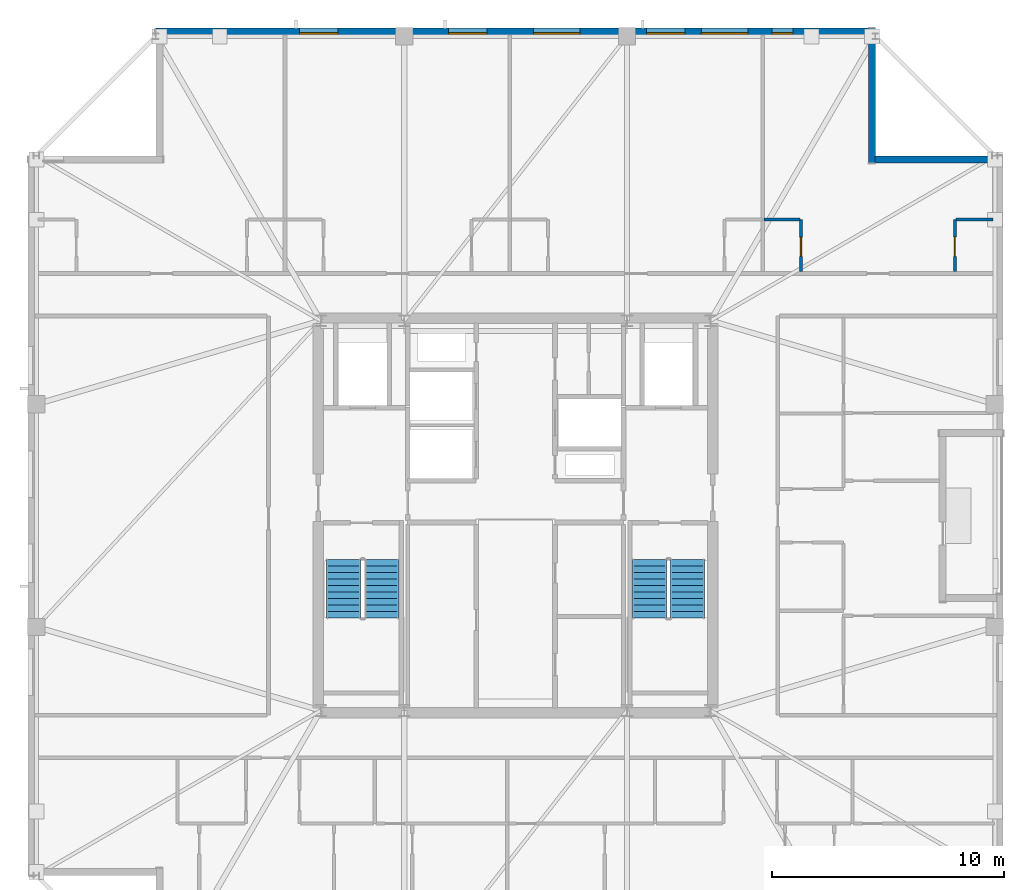
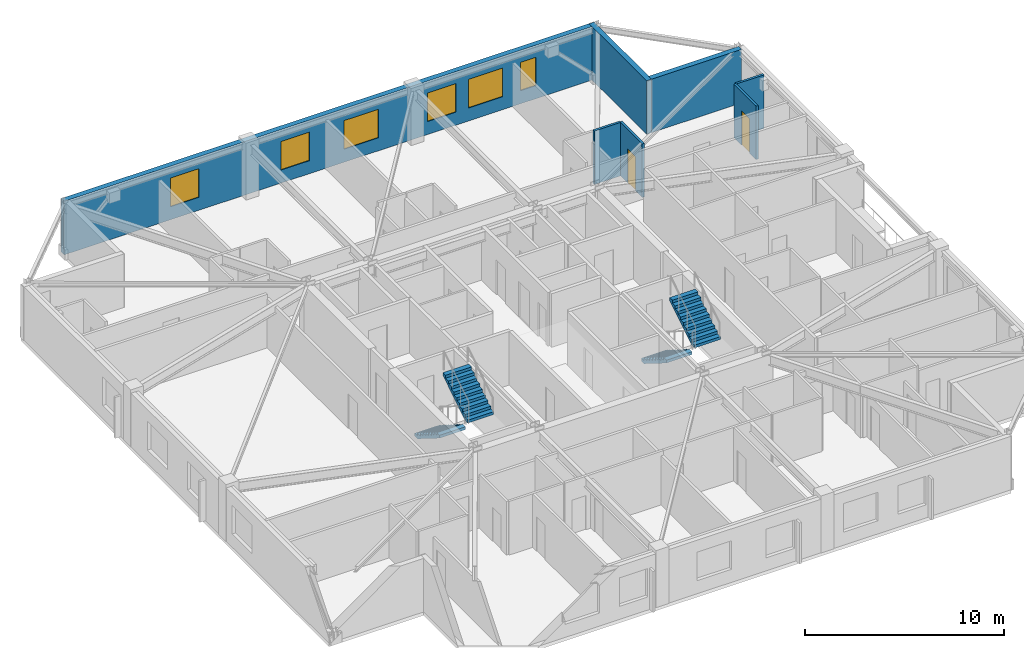
# One storey, part 11 of 15: 7 walls, 6 windows, 4 stair flights, 2 doors, 8 openings, 2 elements without a shape of their own.
"""IFC4 building model written with IfcOpenShell, lengths in metres."""

import ifcopenshell
import ifcopenshell.guid

model = None  # the IFC model being written
_history = None  # IfcOwnerHistory: only IFC2X3 demands one
_inside = {}  # id of a spatial element -> (the spatial element, [elements in it])
_under = {}  # id of a project, library or spatial element -> (it, [spatial elements below it])
_declared = {}  # id of a project -> (the project, [libraries it declares])
_typed = {}  # id of a type object -> (the type object, [elements of that type])
_made_of = {}  # id of a material, layer set ... -> (it, [elements and type objects made of it])


def new_model(schema):
    """Start an empty IFC model of exactly this schema.

    Asked for "IFC4X3", IfcOpenShell would pick the latest addendum, in which some entities
    have other attributes; the version numbers below select the first issue.
    IFC2X3 requires an IfcOwnerHistory on every rooted entity: one is made here for all.
    """
    global model, _history
    if schema == "IFC4X3":
        model = ifcopenshell.file(schema_version=(4, 3, 0, 0))
    else:
        model = ifcopenshell.file(schema=schema)
    _inside.clear()
    _under.clear()
    _declared.clear()
    _typed.clear()
    _made_of.clear()
    _history = None
    if model.schema == "IFC2X3":
        org = make("IfcOrganization", Name="unknown")
        user = make(
            "IfcPersonAndOrganization",
            ThePerson=make("IfcPerson", FamilyName="unknown"),
            TheOrganization=org,
        )
        app = make(
            "IfcApplication",
            ApplicationDeveloper=org,
            Version="unknown",
            ApplicationFullName="unknown",
            ApplicationIdentifier="unknown",
        )
        _history = make(
            "IfcOwnerHistory",
            OwningUser=user,
            OwningApplication=app,
            ChangeAction="ADDED",
            CreationDate=0,
        )
    return model


def make(cls, **values):
    """One entity of the class cls with the attributes given. An attribute that is None is left unset."""
    return model.create_entity(
        cls, **{name: value for name, value in values.items() if value is not None}
    )


def rooted(cls, **values):
    """An entity with a GlobalId (a new one), such as an element, a storey or a relation."""
    return make(cls, GlobalId=ifcopenshell.guid.new(), OwnerHistory=_history, **values)


def si_unit(unit_type, name, prefix=None):
    """IfcSIUnit, for example si_unit("LENGTHUNIT", "METRE", prefix="MILLI")."""
    return make("IfcSIUnit", UnitType=unit_type, Prefix=prefix, Name=name)


def assignment(units):
    """IfcUnitAssignment: the units of a project."""
    return None if units is None else make("IfcUnitAssignment", Units=units)


def point(xyz):
    """IfcCartesianPoint."""
    return None if xyz is None else make("IfcCartesianPoint", Coordinates=xyz)


def direction(xyz):
    """IfcDirection."""
    return None if xyz is None else make("IfcDirection", DirectionRatios=xyz)


def frame(location, z_axis=None, x_axis=None):
    """IfcAxis2Placement3D, a coordinate frame: its origin and axes. An axis left out is left unset."""
    return make(
        "IfcAxis2Placement3D",
        Location=point(location),
        Axis=direction(z_axis),
        RefDirection=direction(x_axis),
    )


def frame_2d(location, x_axis=None):
    """IfcAxis2Placement2D, a coordinate frame in the plane: its origin and x axis."""
    return make(
        "IfcAxis2Placement2D", Location=point(location), RefDirection=direction(x_axis)
    )


def origin():
    """The frame at (0, 0, 0) with its axes left unset."""
    return frame((0.0, 0.0, 0.0))


def place(relative_to, where):
    """IfcLocalPlacement: puts the frame where relative to a parent placement (None: the world)."""
    return make(
        "IfcLocalPlacement", PlacementRelTo=relative_to, RelativePlacement=where
    )


def context(
    kind, dimensions, precision=None, world=None, true_north=None, identifier=None
):
    """IfcGeometricRepresentationContext, for example the 3D "Model" context."""
    return make(
        "IfcGeometricRepresentationContext",
        ContextIdentifier=identifier,
        ContextType=kind,
        CoordinateSpaceDimension=dimensions,
        Precision=precision,
        WorldCoordinateSystem=world,
        TrueNorth=true_north,
    )


def subcontext(parent, identifier, kind, view, scale=None):
    """IfcGeometricRepresentationSubContext, for example "Body" below "Model"."""
    return make(
        "IfcGeometricRepresentationSubContext",
        ContextIdentifier=identifier,
        ContextType=kind,
        ParentContext=parent,
        TargetScale=scale,
        TargetView=view,
    )


def project(units=None, contexts=None):
    """IfcProject with its units and contexts."""
    return rooted(
        "IfcProject",
        Name="project",
        RepresentationContexts=contexts,
        UnitsInContext=assignment(units),
    )


def spatial(cls, under=None, at=None, **own):
    """A site, building, storey or space (cls), placed at a placement, below another one or the project."""
    s = rooted(cls, ObjectPlacement=at, **own)
    if under is not None:
        _under.setdefault(under.id(), (under, []))[1].append(s)
    return s


def polyline(points):
    """IfcPolyline through the points."""
    return make("IfcPolyline", Points=[point(p) for p in points])


def profile(cls, at=None, kind="AREA", **sizes):
    """A parametric profile (cls). Its sizes go by their IFC names, for example OverallWidth=200.0."""
    return make(cls, ProfileType=kind, Position=at, **sizes)


def rectangle(**sizes):
    """IfcRectangleProfileDef."""
    return profile("IfcRectangleProfileDef", **sizes)


def outline(outer, holes=None, kind="AREA"):
    """IfcArbitraryClosedProfileDef: a profile drawn as a closed curve; with holes, ...WithVoids."""
    if holes is None:
        return make("IfcArbitraryClosedProfileDef", ProfileType=kind, OuterCurve=outer)
    return make(
        "IfcArbitraryProfileDefWithVoids",
        ProfileType=kind,
        OuterCurve=outer,
        InnerCurves=holes,
    )


def extrude(swept, where, along, depth):
    """IfcExtrudedAreaSolid: the profile swept, set in the frame where, extruded along a direction by depth."""
    return make(
        "IfcExtrudedAreaSolid",
        SweptArea=swept,
        Position=where,
        ExtrudedDirection=direction(along),
        Depth=depth,
    )


def shape(context_of_items, identifier, shape_type, items):
    """IfcShapeRepresentation: the items that make up one representation, for example the "Body"."""
    return make(
        "IfcShapeRepresentation",
        ContextOfItems=context_of_items,
        RepresentationIdentifier=identifier,
        RepresentationType=shape_type,
        Items=items,
    )


def material(Name=None, Category=None):
    """IfcMaterial."""
    return make("IfcMaterial", Name=Name, Category=Category)


def layer(
    of_material, thickness, ventilated=None, Name=None, Category=None, Priority=None
):
    """IfcMaterialLayer: one layer of a wall or slab, of a material (None: an air gap)."""
    return make(
        "IfcMaterialLayer",
        Material=of_material,
        LayerThickness=thickness,
        IsVentilated=ventilated,
        Name=Name,
        Category=Category,
        Priority=Priority,
    )


def layer_set(layers, Name=None):
    """IfcMaterialLayerSet."""
    return make("IfcMaterialLayerSet", MaterialLayers=layers, LayerSetName=Name)


def made_of(thing, what):
    """Note that an element or type object is made of a material, layer set ...; save() writes the relation."""
    if what is not None:
        _made_of.setdefault(what.id(), (what, []))[1].append(thing)
    return thing


def type_object(cls, material=None, **own):
    """A type object (cls), such as IfcWallType, which elements share."""
    return made_of(rooted(cls, **own), material)


def element(
    cls,
    number,
    at=None,
    inside=None,
    cuts=None,
    type_object=None,
    material=None,
    context=None,
    identifier="Body",
    shape_type=None,
    held_by="IfcProductDefinitionShape",
    body=None,
    shapes=None,
    **own,
):
    """One element of the class cls, such as IfcWall. Its Tag is "e" and its number.

    at: its placement. inside: the storey or other place that contains it. cuts: it is an
    opening in that element (IfcRelVoidsElement). A single representation is given by context,
    identifier, shape_type and body (its items); several are given by shapes. held_by: the class
    of the entity that holds the representations. save() writes the other relations.
    """
    e = rooted(cls, Tag="e%d" % number, ObjectPlacement=at, **own)
    if body is not None:
        shapes = [shape(context, identifier, shape_type, body)]
    if shapes is not None:
        e.Representation = make(held_by, Representations=shapes)
    if inside is not None:
        _inside.setdefault(inside.id(), (inside, []))[1].append(e)
    if cuts is not None:
        rooted(
            "IfcRelVoidsElement", RelatingBuildingElement=cuts, RelatedOpeningElement=e
        )
    if type_object is not None:
        _typed.setdefault(type_object.id(), (type_object, []))[1].append(e)
    return made_of(e, material)


def fill(opening, filler):
    """IfcRelFillsElement: the door or window that sits in an opening."""
    return rooted(
        "IfcRelFillsElement",
        RelatingOpeningElement=opening,
        RelatedBuildingElement=filler,
    )


def aggregate(whole, parts):
    """IfcRelAggregates: a whole, such as a stair, and the parts it consists of."""
    return rooted("IfcRelAggregates", RelatingObject=whole, RelatedObjects=parts)


def save(model, path):
    """Write the relations noted so far, then the file.

    IfcRelAggregates (storeys below a building ...), IfcRelContainedInSpatialStructure (elements
    in a storey), IfcRelDefinesByType, IfcRelAssociatesMaterial and IfcRelDeclares: one each for
    every whole, place, type object, material and project.
    """
    for whole, parts in _under.values():
        aggregate(whole, parts)
    for where, things in _inside.values():
        rooted(
            "IfcRelContainedInSpatialStructure",
            RelatedElements=things,
            RelatingStructure=where,
        )
    for kind, things in _typed.values():
        rooted("IfcRelDefinesByType", RelatedObjects=things, RelatingType=kind)
    for what, things in _made_of.values():
        rooted("IfcRelAssociatesMaterial", RelatedObjects=things, RelatingMaterial=what)
    for by, libraries in _declared.values():
        rooted("IfcRelDeclares", RelatingContext=by, RelatedDefinitions=libraries)
    model.write(path)


model = new_model("IFC4")

# Units and contexts
model_context = context("Model", 3, precision=1e-05, world=origin(), true_north=direction((0.0, 1.0)))
body_context = subcontext(model_context, "Body", "Model", "MODEL_VIEW")
ifc_project = project(units=[si_unit("LENGTHUNIT", "METRE"), si_unit("AREAUNIT", "SQUARE_METRE"), si_unit("VOLUMEUNIT", "CUBIC_METRE"), si_unit("PLANEANGLEUNIT", "RADIAN"), si_unit("MASSUNIT", "GRAM", prefix="KILO")], contexts=[model_context])

# Site, building, storey
site_placement = place(None, origin())
site = spatial("IfcSite", under=ifc_project, at=site_placement, CompositionType="ELEMENT")
building_placement = place(site_placement, origin())
building = spatial("IfcBuilding", under=site, at=building_placement, Name="Cairnveth Concourse Tower", CompositionType="ELEMENT")
storey_placement = place(building_placement, frame((0.0, 0.0, 305.0)))
storey = spatial("IfcBuildingStorey", under=building, at=storey_placement, Name="L84", CompositionType="ELEMENT", Elevation=305.0)

# Wall, opening, door
ifc_material_1 = material(Name="Gypsum Plasterboard Partition", Category="gypsum")
ifc_layer_1 = layer(ifc_material_1, 0.1298828125)
ifc_layer_set_1 = layer_set([ifc_layer_1], Name="Gypsum Plasterboard Partition")
wall_type_1 = type_object("IfcWallType", Name="WET AREA PARTITION 140", PredefinedType="PLUMBINGWALL", material=ifc_layer_set_1)
wall_1_placement = place(storey_placement, frame((64.297607421875, 49.514892578125, 0.0), z_axis=(0.0, 0.0, 1.0), x_axis=(0.0, 1.0, 0.0)))
wall_1 = element("IfcWall", 1, at=wall_1_placement, inside=storey, type_object=wall_type_1, Name="Interior Wall IW-L84-080", PredefinedType="PLUMBINGWALL", context=body_context, shape_type="SweptSolid", body=[
    extrude(rectangle(XDim=2.25, YDim=0.1298828125, at=frame_2d((1.125, 0.0))), origin(), (0.0, 0.0, 1.0), 3.2900390625),
])
opening_1_placement = place(wall_1_placement, frame((0.64990234375, 0.0, 0.0)))
opening_1 = element("IfcOpeningElement", 2, at=opening_1_placement, cuts=wall_1, Name="Opening ID22", PredefinedType="OPENING", context=body_context, shape_type="SweptSolid", body=[
    extrude(rectangle(XDim=0.820068359375, YDim=2.10009765625, at=frame_2d((0.41015625, 1.050048828125))), frame((0.0, 0.074951171875, 0.0), z_axis=(0.0, -1.0, 0.0), x_axis=(1.0, 0.0, 0.0)), (0.0, 0.0, 1.0), 0.14990234375),
])
ifc_material_2 = material(Name="Solid Core Hardwood Timber Leaf", Category="wood")
door_type_1 = type_object("IfcDoorType", Name="INTERIOR WC DOOR 820X2100", OperationType="NOTDEFINED", PredefinedType="DOOR", material=ifc_material_2)
door_1_placement = place(opening_1_placement, origin())
door_1 = element("IfcDoor", 3, at=door_1_placement, inside=storey, type_object=door_type_1, Name="L84STN4 Bathroom Door", OperationType="SINGLE_SWING_LEFT", OverallHeight=2.10009765625, OverallWidth=0.820068359375, PredefinedType="DOOR", context=body_context, shape_type="SweptSolid", body=[
    extrude(rectangle(XDim=0.820068359375, YDim=2.10009765625, at=frame_2d((0.41015625, 1.050048828125))), frame((0.0, 0.02490234375, 0.0), z_axis=(0.0, -1.0, 0.0), x_axis=(1.0, 0.0, 0.0)), (0.0, 0.0, 1.0), 0.050048828125),
])
fill(opening_1, door_1)

# Wall
wall_2_placement = place(storey_placement, frame((62.71240234375, 51.764892578125, 0.0), z_axis=(0.0, 0.0, 1.0), x_axis=(1.0, 0.0, 0.0)))
element("IfcWall", 4, at=wall_2_placement, inside=storey, type_object=wall_type_1, Name="Interior Wall IW-L84-081", PredefinedType="PLUMBINGWALL", context=body_context, shape_type="SweptSolid", body=[
    extrude(rectangle(XDim=1.53515625, YDim=0.1298828125, at=frame_2d((0.767578125, 0.0))), origin(), (0.0, 0.0, 1.0), 3.2900390625),
])

# Wall, opening, door
wall_3_placement = place(storey_placement, frame((70.929931640625, 49.514892578125, 0.0), z_axis=(0.0, 0.0, 1.0), x_axis=(0.0, 1.0, 0.0)))
wall_3 = element("IfcWall", 5, at=wall_3_placement, inside=storey, type_object=wall_type_1, Name="Interior Wall IW-L84-082", PredefinedType="PLUMBINGWALL", context=body_context, shape_type="SweptSolid", body=[
    extrude(rectangle(XDim=2.25, YDim=0.1298828125, at=frame_2d((1.125, 0.0))), origin(), (0.0, 0.0, 1.0), 3.2900390625),
])
opening_2_placement = place(wall_3_placement, frame((0.64990234375, 0.0, 0.0)))
opening_2 = element("IfcOpeningElement", 6, at=opening_2_placement, cuts=wall_3, Name="Opening ID20", PredefinedType="OPENING", context=body_context, shape_type="SweptSolid", body=[
    extrude(rectangle(XDim=0.85009765625, YDim=2.10009765625, at=frame_2d((0.425048828125, 1.050048828125))), frame((0.0, 0.074951171875, 0.0), z_axis=(0.0, -1.0, 0.0), x_axis=(1.0, 0.0, 0.0)), (0.0, 0.0, 1.0), 0.14990234375),
])
door_type_2 = type_object("IfcDoorType", Name="INTERIOR SINGLE DOOR 850X2100", OperationType="NOTDEFINED", PredefinedType="DOOR", material=ifc_material_2)
door_2_placement = place(opening_2_placement, origin())
door_2 = element("IfcDoor", 7, at=door_2_placement, inside=storey, type_object=door_type_2, Name="L84STN4 Kitchen Door", OperationType="SINGLE_SWING_RIGHT", OverallHeight=2.10009765625, OverallWidth=0.85009765625, PredefinedType="DOOR", context=body_context, shape_type="SweptSolid", body=[
    extrude(rectangle(XDim=0.85009765625, YDim=2.10009765625, at=frame_2d((0.425048828125, 1.050048828125))), frame((0.0, 0.02490234375, 0.0), z_axis=(0.0, -1.0, 0.0), x_axis=(1.0, 0.0, 0.0)), (0.0, 0.0, 1.0), 0.050048828125),
])
fill(opening_2, door_2)

# Wall
wall_4_placement = place(storey_placement, frame((70.97998046875, 51.764892578125, 0.0), z_axis=(0.0, 0.0, 1.0), x_axis=(1.0, 0.0, 0.0)))
element("IfcWall", 8, at=wall_4_placement, inside=storey, type_object=wall_type_1, Name="Interior Wall IW-L84-083", PredefinedType="PLUMBINGWALL", context=body_context, shape_type="SweptSolid", body=[
    extrude(rectangle(XDim=1.60009765625, YDim=0.1298828125, at=frame_2d((0.800048828125, 0.0))), origin(), (0.0, 0.0, 1.0), 3.2900390625),
])

# Wall, openings, windows
ifc_material_3 = material(Name="Hawthorn Red-Ochre Fired Clay Brick Masonry", Category="masonry")
ifc_layer_2 = layer(ifc_material_3, 0.300048828125)
ifc_layer_set_2 = layer_set([ifc_layer_2], Name="Hawthorn Red-Ochre Fired Clay Brick Masonry")
wall_type_2 = type_object("IfcWallType", Name="ZONE 4 BRICK PIER SPANDREL WALL 300", PredefinedType="SOLIDWALL", material=ifc_layer_set_2)
wall_5_placement = place(storey_placement, frame((36.5, 59.85009765625, 0.0), z_axis=(0.0, 0.0, 1.0), x_axis=(1.0, 0.0, 0.0)))
wall_5 = element("IfcWall", 9, at=wall_5_placement, inside=storey, type_object=wall_type_2, Name="Exterior Wall EW-L84-S09", PredefinedType="SOLIDWALL", context=body_context, shape_type="SweptSolid", body=[
    extrude(rectangle(XDim=30.721923828125, YDim=0.300048828125, at=frame_2d((15.36083984375, 0.0))), origin(), (0.0, 0.0, 1.0), 3.2900390625),
])
opening_3_placement = place(wall_5_placement, frame((6.193603515625, 0.0, 0.800048828125)))
opening_3 = element("IfcOpeningElement", 10, at=opening_3_placement, cuts=wall_5, Name="Opening W04", PredefinedType="OPENING", context=body_context, shape_type="SweptSolid", body=[
    extrude(rectangle(XDim=1.64990234375, YDim=1.758056640625, at=frame_2d((0.824951171875, 0.87890625))), frame((0.0, 0.159912109375, 0.0), z_axis=(0.0, -1.0, 0.0), x_axis=(1.0, 0.0, 0.0)), (0.0, 0.0, 1.0), 0.320068359375),
])
opening_4_placement = place(wall_5_placement, frame((12.617431640625, 0.0, 0.800048828125)))
opening_4 = element("IfcOpeningElement", 11, at=opening_4_placement, cuts=wall_5, Name="Opening W04", PredefinedType="OPENING", context=body_context, shape_type="SweptSolid", body=[
    extrude(rectangle(XDim=1.64990234375, YDim=1.758056640625, at=frame_2d((0.824951171875, 0.87890625))), frame((0.0, 0.159912109375, 0.0), z_axis=(0.0, -1.0, 0.0), x_axis=(1.0, 0.0, 0.0)), (0.0, 0.0, 1.0), 0.320068359375),
])
opening_5_placement = place(wall_5_placement, frame((16.279541015625, 0.0, 0.800048828125)))
opening_5 = element("IfcOpeningElement", 12, at=opening_5_placement, cuts=wall_5, Name="Opening W09", PredefinedType="OPENING", context=body_context, shape_type="SweptSolid", body=[
    extrude(rectangle(XDim=2.0, YDim=1.758056640625, at=frame_2d((1.0, 0.87890625))), frame((0.0, 0.159912109375, 0.0), z_axis=(0.0, -1.0, 0.0), x_axis=(1.0, 0.0, 0.0)), (0.0, 0.0, 1.0), 0.320068359375),
])
opening_6_placement = place(wall_5_placement, frame((21.1416015625, 0.0, 0.800048828125)))
opening_6 = element("IfcOpeningElement", 13, at=opening_6_placement, cuts=wall_5, Name="Opening W04", PredefinedType="OPENING", context=body_context, shape_type="SweptSolid", body=[
    extrude(rectangle(XDim=1.64990234375, YDim=1.758056640625, at=frame_2d((0.824951171875, 0.87890625))), frame((0.0, 0.159912109375, 0.0), z_axis=(0.0, -1.0, 0.0), x_axis=(1.0, 0.0, 0.0)), (0.0, 0.0, 1.0), 0.320068359375),
])
opening_7_placement = place(wall_5_placement, frame((23.50341796875, 0.0, 0.800048828125)))
opening_7 = element("IfcOpeningElement", 14, at=opening_7_placement, cuts=wall_5, Name="Opening W09", PredefinedType="OPENING", context=body_context, shape_type="SweptSolid", body=[
    extrude(rectangle(XDim=2.0, YDim=1.758056640625, at=frame_2d((1.0, 0.87890625))), frame((0.0, 0.159912109375, 0.0), z_axis=(0.0, -1.0, 0.0), x_axis=(1.0, 0.0, 0.0)), (0.0, 0.0, 1.0), 0.320068359375),
])
opening_8_placement = place(wall_5_placement, frame((26.550048828125, 0.0, 0.800048828125)))
opening_8 = element("IfcOpeningElement", 15, at=opening_8_placement, cuts=wall_5, Name="Opening W13", PredefinedType="OPENING", context=body_context, shape_type="SweptSolid", body=[
    extrude(rectangle(XDim=0.89990234375, YDim=1.75, at=frame_2d((0.449951171875, 0.875))), frame((0.0, 0.159912109375, 0.0), z_axis=(0.0, -1.0, 0.0), x_axis=(1.0, 0.0, 0.0)), (0.0, 0.0, 1.0), 0.320068359375),
])
ifc_material_4 = material(Name="Double Glazed Low-E Clear Glass", Category="glass")
window_type_1 = type_object("IfcWindowType", Name="DEEP-SET BEDROOM LANCET WINDOW 900X1750", PartitioningType="DOUBLE_PANEL_VERTICAL", PredefinedType="WINDOW", material=ifc_material_4)
window_1_placement = place(opening_8_placement, origin())
window_1 = element("IfcWindow", 16, at=window_1_placement, inside=storey, type_object=window_type_1, Name="Dwelling Lancet Window L84-DW4", OverallHeight=1.75, OverallWidth=0.89990234375, PartitioningType="SINGLE_PANEL", PredefinedType="WINDOW", context=body_context, shape_type="SweptSolid", body=[
    extrude(rectangle(XDim=0.89990234375, YDim=1.75, at=frame_2d((0.449951171875, 0.875))), frame((0.0, -0.0400390625, 0.0), z_axis=(0.0, -1.0, 0.0), x_axis=(1.0, 0.0, 0.0)), (0.0, 0.0, 1.0), 0.06005859375),
])
fill(opening_8, window_1)
window_type_2 = type_object("IfcWindowType", Name="DEEP-SET GOTHIC LANCET WINDOW 1650X1850", PartitioningType="DOUBLE_PANEL_VERTICAL", PredefinedType="WINDOW", material=ifc_material_4)
window_2_placement = place(opening_3_placement, origin())
window_2 = element("IfcWindow", 17, at=window_2_placement, inside=storey, type_object=window_type_2, Name="Gothic Lancet Window L84-9-1", OverallHeight=1.758056640625, OverallWidth=1.64990234375, PartitioningType="SINGLE_PANEL", PredefinedType="WINDOW", context=body_context, shape_type="SweptSolid", body=[
    extrude(rectangle(XDim=1.64990234375, YDim=1.758056640625, at=frame_2d((0.824951171875, 0.87890625))), frame((0.0, -0.050048828125, 0.0), z_axis=(0.0, -1.0, 0.0), x_axis=(1.0, 0.0, 0.0)), (0.0, 0.0, 1.0), 0.06005859375),
])
fill(opening_3, window_2)
window_3_placement = place(opening_4_placement, origin())
window_3 = element("IfcWindow", 18, at=window_3_placement, inside=storey, type_object=window_type_2, Name="Gothic Lancet Window L84-9-3", OverallHeight=1.758056640625, OverallWidth=1.64990234375, PartitioningType="SINGLE_PANEL", PredefinedType="WINDOW", context=body_context, shape_type="SweptSolid", body=[
    extrude(rectangle(XDim=1.64990234375, YDim=1.758056640625, at=frame_2d((0.824951171875, 0.87890625))), frame((0.0, -0.050048828125, 0.0), z_axis=(0.0, -1.0, 0.0), x_axis=(1.0, 0.0, 0.0)), (0.0, 0.0, 1.0), 0.06005859375),
])
fill(opening_4, window_3)
window_4_placement = place(opening_6_placement, origin())
window_4 = element("IfcWindow", 19, at=window_4_placement, inside=storey, type_object=window_type_2, Name="Gothic Lancet Window L84-9-5", OverallHeight=1.758056640625, OverallWidth=1.64990234375, PartitioningType="SINGLE_PANEL", PredefinedType="WINDOW", context=body_context, shape_type="SweptSolid", body=[
    extrude(rectangle(XDim=1.64990234375, YDim=1.758056640625, at=frame_2d((0.824951171875, 0.87890625))), frame((0.0, -0.050048828125, 0.0), z_axis=(0.0, -1.0, 0.0), x_axis=(1.0, 0.0, 0.0)), (0.0, 0.0, 1.0), 0.06005859375),
])
fill(opening_6, window_4)
window_type_3 = type_object("IfcWindowType", Name="DEEP-SET PENTHOUSE LANCET WINDOW 2000X1850", PartitioningType="DOUBLE_PANEL_VERTICAL", PredefinedType="WINDOW", material=ifc_material_4)
window_5_placement = place(opening_5_placement, origin())
window_5 = element("IfcWindow", 20, at=window_5_placement, inside=storey, type_object=window_type_3, Name="Gothic Lancet Window L84-9-4", OverallHeight=1.758056640625, OverallWidth=2.0, PartitioningType="SINGLE_PANEL", PredefinedType="WINDOW", context=body_context, shape_type="SweptSolid", body=[
    extrude(rectangle(XDim=2.0, YDim=1.758056640625, at=frame_2d((1.0, 0.87890625))), frame((0.0, -0.050048828125, 0.0), z_axis=(0.0, -1.0, 0.0), x_axis=(1.0, 0.0, 0.0)), (0.0, 0.0, 1.0), 0.06005859375),
])
fill(opening_5, window_5)
window_6_placement = place(opening_7_placement, origin())
window_6 = element("IfcWindow", 21, at=window_6_placement, inside=storey, type_object=window_type_3, Name="Gothic Lancet Window L84-9-6", OverallHeight=1.758056640625, OverallWidth=2.0, PartitioningType="SINGLE_PANEL", PredefinedType="WINDOW", context=body_context, shape_type="SweptSolid", body=[
    extrude(rectangle(XDim=2.0, YDim=1.758056640625, at=frame_2d((1.0, 0.87890625))), frame((0.0, -0.050048828125, 0.0), z_axis=(0.0, -1.0, 0.0), x_axis=(1.0, 0.0, 0.0)), (0.0, 0.0, 1.0), 0.06005859375),
])
fill(opening_7, window_6)

# Walls
wall_6_placement = place(storey_placement, frame((67.35009765625, 60.0, 0.0), z_axis=(0.0, 0.0, 1.0), x_axis=(0.0, -1.0, 0.0)))
element("IfcWall", 22, at=wall_6_placement, inside=storey, type_object=wall_type_2, Name="Exterior Wall EW-L84-S10", PredefinedType="SOLIDWALL", context=body_context, shape_type="SweptSolid", body=[
    extrude(rectangle(XDim=5.800048828125, YDim=0.300048828125, at=frame_2d((2.89990234375, 0.0))), origin(), (0.0, 0.0, 1.0), 3.2900390625),
])
wall_7_placement = place(storey_placement, frame((67.47802734375, 54.35009765625, 0.0), z_axis=(0.0, 0.0, 1.0), x_axis=(1.0, 0.0, 0.0)))
element("IfcWall", 23, at=wall_7_placement, inside=storey, type_object=wall_type_2, Name="Exterior Wall EW-L84-S11", PredefinedType="SOLIDWALL", context=body_context, shape_type="SweptSolid", body=[
    extrude(rectangle(XDim=5.243896484375, YDim=0.300048828125, at=frame_2d((2.6220703125, 0.0))), origin(), (0.0, 0.0, 1.0), 3.2900390625),
])

# Stair, stair flights
ifc_material_5 = material(Name="Precast concrete N50 (50 MPa)", Category="concrete")
stair_type = type_object("IfcStairType", Name="CORE DOG-LEG FIRE STAIR 1500", PredefinedType="HALF_TURN_STAIR", material=ifc_material_5)
stair_1_placement = place(storey_placement, origin())
stair_1 = element("IfcStair", 24, at=stair_1_placement, inside=storey, type_object=stair_type, Name="L84 Fire-Isolated Stair ST-1", PredefinedType="HALF_TURN_STAIR")
stair_flight_type = type_object("IfcStairFlightType", Name="PRECAST CONCRETE STAIR FLIGHT 1500", PredefinedType="STRAIGHT", material=ifc_material_5)
stair_flight_1_placement = place(storey_placement, frame((44.590087890625, 37.10009765625, 0.0), z_axis=(0.0, 0.0, 1.0), x_axis=(0.0, -1.0, 0.0)))
stair_flight_1 = element("IfcStairFlight", 25, at=stair_flight_1_placement, type_object=stair_flight_type, Name="ST-1 flight 1", NumberOfRisers=10, NumberOfTreads=9, PredefinedType="STRAIGHT", RiserHeight=0.175, TreadLength=0.28, context=body_context, shape_type="SweptSolid", body=[
    extrude(outline(polyline([(0.0, 0.0), (0.0, 0.175048828125), (0.280029296875, 0.175048828125), (0.280029296875, 0.35009765625), (0.56005859375, 0.35009765625), (0.56005859375, 0.52490234375), (0.840087890625, 0.52490234375), (0.840087890625, 0.699951171875), (1.1201171875, 0.699951171875), (1.1201171875, 0.875), (1.39990234375, 0.875), (1.39990234375, 1.050048828125), (1.679931640625, 1.050048828125), (1.679931640625, 1.22509765625), (1.9599609375, 1.22509765625), (1.9599609375, 1.39990234375), (2.239990234375, 1.39990234375), (2.239990234375, 1.574951171875), (2.52001953125, 1.574951171875), (2.52001953125, 1.75), (2.52001953125, 1.398193359375), (0.28271484375, 0.0), (0.0, 0.0)])), frame((0.0, 0.75, 0.0), z_axis=(0.0, -1.0, 0.0), x_axis=(1.0, 0.0, 0.0)), (0.0, 0.0, 1.0), 1.5),
])
stair_flight_2_placement = place(storey_placement, frame((46.22998046875, 34.580078125, 1.75), z_axis=(0.0, 0.0, 1.0), x_axis=(0.0, 1.0, 0.0)))
stair_flight_2 = element("IfcStairFlight", 26, at=stair_flight_2_placement, type_object=stair_flight_type, Name="ST-1 flight 2", NumberOfRisers=10, NumberOfTreads=9, PredefinedType="STRAIGHT", RiserHeight=0.175, TreadLength=0.28, context=body_context, shape_type="SweptSolid", body=[
    extrude(outline(polyline([(0.0, 0.0), (0.0, 0.175048828125), (0.280029296875, 0.175048828125), (0.280029296875, 0.35009765625), (0.56005859375, 0.35009765625), (0.56005859375, 0.52490234375), (0.840087890625, 0.52490234375), (0.840087890625, 0.699951171875), (1.1201171875, 0.699951171875), (1.1201171875, 0.875), (1.39990234375, 0.875), (1.39990234375, 1.050048828125), (1.679931640625, 1.050048828125), (1.679931640625, 1.22509765625), (1.9599609375, 1.22509765625), (1.9599609375, 1.39990234375), (2.239990234375, 1.39990234375), (2.239990234375, 1.574951171875), (2.52001953125, 1.574951171875), (2.52001953125, 1.75), (2.52001953125, 1.398193359375), (0.28271484375, 0.0), (0.0, 0.0)])), frame((0.0, 0.75, 0.0), z_axis=(0.0, -1.0, 0.0), x_axis=(1.0, 0.0, 0.0)), (0.0, 0.0, 1.0), 1.5),
])
aggregate(stair_1, [stair_flight_1, stair_flight_2])

stair_2_placement = place(storey_placement, origin())
stair_2 = element("IfcStair", 27, at=stair_2_placement, inside=storey, type_object=stair_type, Name="L84 Fire-Isolated Stair ST-2", PredefinedType="HALF_TURN_STAIR")
stair_flight_3_placement = place(storey_placement, frame((57.77001953125, 37.10009765625, 0.0), z_axis=(0.0, 0.0, 1.0), x_axis=(0.0, -1.0, 0.0)))
stair_flight_3 = element("IfcStairFlight", 28, at=stair_flight_3_placement, type_object=stair_flight_type, Name="ST-2 flight 1", NumberOfRisers=10, NumberOfTreads=9, PredefinedType="STRAIGHT", RiserHeight=0.175, TreadLength=0.28, context=body_context, shape_type="SweptSolid", body=[
    extrude(outline(polyline([(0.0, 0.0), (0.0, 0.175048828125), (0.280029296875, 0.175048828125), (0.280029296875, 0.35009765625), (0.56005859375, 0.35009765625), (0.56005859375, 0.52490234375), (0.840087890625, 0.52490234375), (0.840087890625, 0.699951171875), (1.1201171875, 0.699951171875), (1.1201171875, 0.875), (1.39990234375, 0.875), (1.39990234375, 1.050048828125), (1.679931640625, 1.050048828125), (1.679931640625, 1.22509765625), (1.9599609375, 1.22509765625), (1.9599609375, 1.39990234375), (2.239990234375, 1.39990234375), (2.239990234375, 1.574951171875), (2.52001953125, 1.574951171875), (2.52001953125, 1.75), (2.52001953125, 1.398193359375), (0.28271484375, 0.0), (0.0, 0.0)])), frame((0.0, 0.75, 0.0), z_axis=(0.0, -1.0, 0.0), x_axis=(1.0, 0.0, 0.0)), (0.0, 0.0, 1.0), 1.5),
])
stair_flight_4_placement = place(storey_placement, frame((59.409912109375, 34.580078125, 1.75), z_axis=(0.0, 0.0, 1.0), x_axis=(0.0, 1.0, 0.0)))
stair_flight_4 = element("IfcStairFlight", 29, at=stair_flight_4_placement, type_object=stair_flight_type, Name="ST-2 flight 2", NumberOfRisers=10, NumberOfTreads=9, PredefinedType="STRAIGHT", RiserHeight=0.175, TreadLength=0.28, context=body_context, shape_type="SweptSolid", body=[
    extrude(outline(polyline([(0.0, 0.0), (0.0, 0.175048828125), (0.280029296875, 0.175048828125), (0.280029296875, 0.35009765625), (0.56005859375, 0.35009765625), (0.56005859375, 0.52490234375), (0.840087890625, 0.52490234375), (0.840087890625, 0.699951171875), (1.1201171875, 0.699951171875), (1.1201171875, 0.875), (1.39990234375, 0.875), (1.39990234375, 1.050048828125), (1.679931640625, 1.050048828125), (1.679931640625, 1.22509765625), (1.9599609375, 1.22509765625), (1.9599609375, 1.39990234375), (2.239990234375, 1.39990234375), (2.239990234375, 1.574951171875), (2.52001953125, 1.574951171875), (2.52001953125, 1.75), (2.52001953125, 1.398193359375), (0.28271484375, 0.0), (0.0, 0.0)])), frame((0.0, 0.75, 0.0), z_axis=(0.0, -1.0, 0.0), x_axis=(1.0, 0.0, 0.0)), (0.0, 0.0, 1.0), 1.5),
])
aggregate(stair_2, [stair_flight_3, stair_flight_4])

save(model, "model.ifc")
